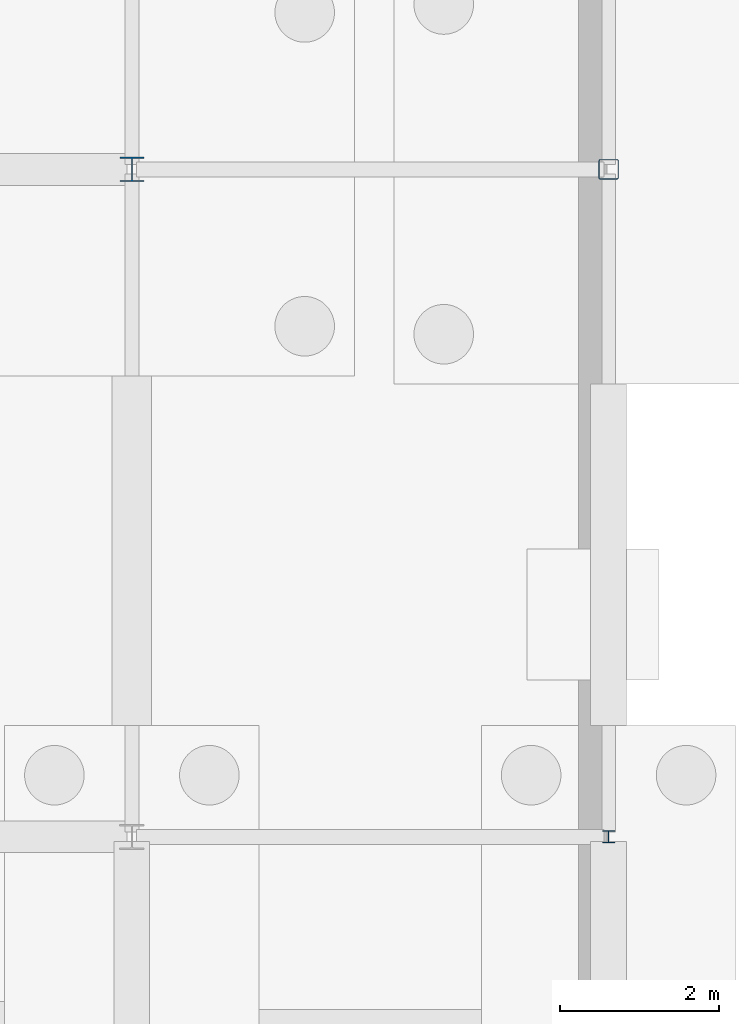
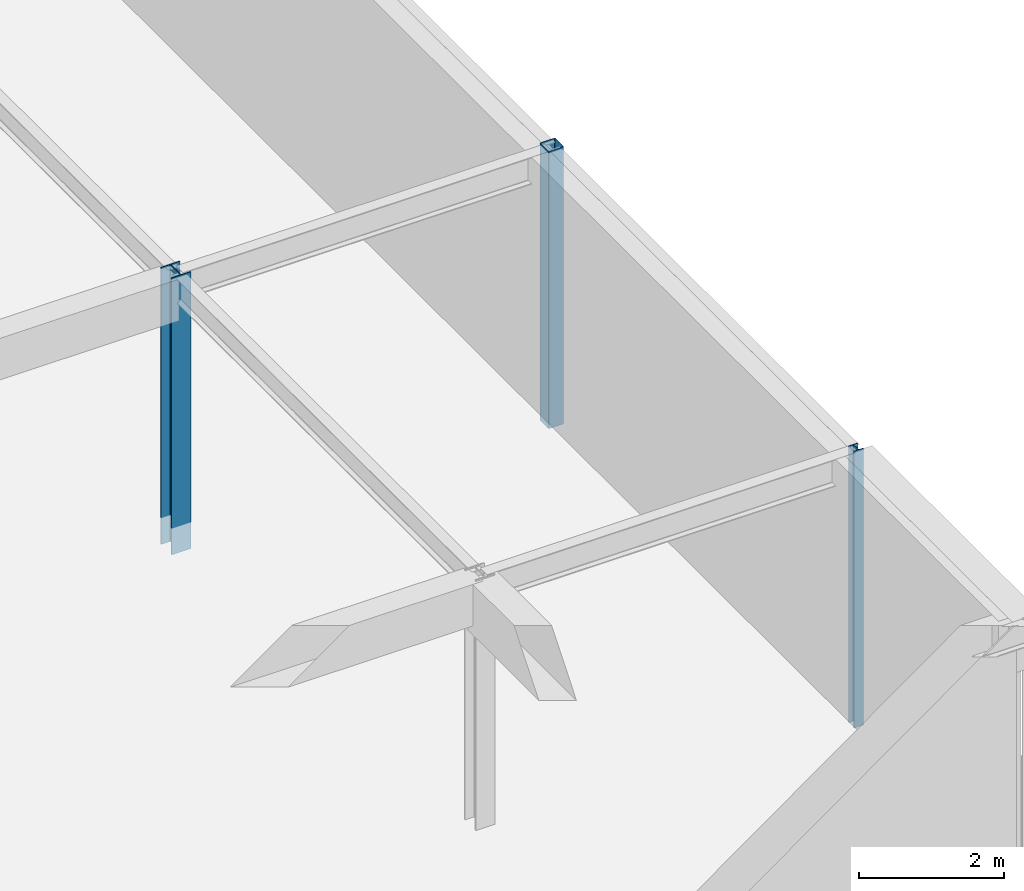
# One storey, part 55 of 75: 3 columns.
"""IFC4 building model written with IfcOpenShell, lengths in metres."""

from ifc_helpers import new_model, si_unit, derived_unit, direction, frame, origin, origin_2d_with_axis, place, context, subcontext, project, spatial, hollow_rectangle, i_section, extrude, material, material_profile, profile_set, type_object, element, save


model = new_model("IFC4")

# Units and contexts
model_context = context("Model", 3, precision=1e-05, world=origin(), true_north=direction((0.0, 1.0)))
body_context = subcontext(model_context, "Body", "Model", "MODEL_VIEW")
ifc_project = project(units=[si_unit("LENGTHUNIT", "METRE"), si_unit("AREAUNIT", "SQUARE_METRE"), si_unit("VOLUMEUNIT", "CUBIC_METRE"), si_unit("PLANEANGLEUNIT", "RADIAN"), si_unit("MASSUNIT", "GRAM", prefix="KILO"), derived_unit("THERMALTRANSMITTANCEUNIT", [(si_unit("POWERUNIT", "WATT"), 1), (si_unit("LENGTHUNIT", "METRE"), -2), (si_unit("THERMODYNAMICTEMPERATUREUNIT", "KELVIN"), -1)])], contexts=[model_context])

# Site, building, storey
site_placement = place(None, origin())
site = spatial("IfcSite", under=ifc_project, at=site_placement, CompositionType="ELEMENT")
building_placement = place(site_placement, origin())
building = spatial("IfcBuilding", under=site, at=building_placement, Name="Cinnabar Yard Market Hall", CompositionType="ELEMENT")
storey_placement = place(building_placement, frame((0.0, 0.0, -4.5)))
storey = spatial("IfcBuildingStorey", under=building, at=storey_placement, Name="B1", CompositionType="ELEMENT", Elevation=-4.5)

# Columns
ifc_material_1 = material(Name="Steel Grade 300 (300 MPa)", Category="steel")
ifc_material_profile_1 = material_profile(ifc_material_1, i_section(OverallWidth=0.304931640625, OverallDepth=0.30810546875, WebThickness=0.010009765625, FlangeThickness=0.015380859375, FilletRadius=0.0166015625, at=origin_2d_with_axis()), Name="310UC96.8")
ifc_profile_set_1 = profile_set([ifc_material_profile_1], Name="Steel Grade 300 (300 MPa)")
column_type_1 = type_object("IfcColumnType", Name="COL-C09", PredefinedType="COLUMN", material=ifc_profile_set_1)
column_1_placement = place(storey_placement, frame((156.0, 121.199951171875, -0.449951171875), z_axis=(0.0, 0.0, 1.0), x_axis=(1.0, 0.0, 0.0)))
element("IfcColumn", 1, at=column_1_placement, inside=storey, type_object=column_type_1, Name="Wing Column V3-10-03 B1", PredefinedType="COLUMN", context=body_context, shape_type="SweptSolid", body=[
    extrude(i_section(OverallWidth=0.304931640625, OverallDepth=0.30810546875, WebThickness=0.010009765625, FlangeThickness=0.015380859375, FilletRadius=0.0166015625, at=origin_2d_with_axis()), origin(), (0.0, 0.0, 1.0), 4.669921875),
])
ifc_material_profile_2 = material_profile(ifc_material_1, i_section(OverallWidth=0.152099609375, OverallDepth=0.15234375, WebThickness=0.005859375, FlangeThickness=0.0068359375, FilletRadius=0.0087890625, at=origin_2d_with_axis()), Name="150UC23.4")
ifc_profile_set_2 = profile_set([ifc_material_profile_2], Name="Steel Grade 300 (300 MPa)")
column_type_2 = type_object("IfcColumnType", Name="COL-C19", PredefinedType="COLUMN", material=ifc_profile_set_2)
column_2_placement = place(storey_placement, frame((162.0, 112.800048828125, -0.449951171875), z_axis=(0.0, 0.0, 1.0), x_axis=(1.0, 0.0, 0.0)))
element("IfcColumn", 2, at=column_2_placement, inside=storey, type_object=column_type_2, Name="Wing Column V3-11-02 B1", PredefinedType="COLUMN", context=body_context, shape_type="SweptSolid", body=[
    extrude(i_section(OverallWidth=0.152099609375, OverallDepth=0.15234375, WebThickness=0.005859375, FlangeThickness=0.0068359375, FilletRadius=0.0087890625, at=origin_2d_with_axis()), origin(), (0.0, 0.0, 1.0), 4.669921875),
])
ifc_material_2 = material(Name="Cold-formed steel C350L0", Category="steel")
ifc_material_profile_3 = material_profile(ifc_material_2, hollow_rectangle(XDim=0.25, YDim=0.25, WallThickness=0.009033203125, InnerFilletRadius=0.009033203125, OuterFilletRadius=0.01806640625, at=origin_2d_with_axis()), Name="250x250x9.0SHS")
ifc_profile_set_3 = profile_set([ifc_material_profile_3], Name="Cold-formed steel C350L0")
column_type_3 = type_object("IfcColumnType", Name="COL-C20", PredefinedType="COLUMN", material=ifc_profile_set_3)
column_3_placement = place(storey_placement, frame((162.0, 121.199951171875, -0.449951171875), z_axis=(0.0, 0.0, 1.0), x_axis=(1.0, 0.0, 0.0)))
element("IfcColumn", 3, at=column_3_placement, inside=storey, type_object=column_type_3, Name="Wing Column V3-11-03 B1", PredefinedType="COLUMN", context=body_context, shape_type="SweptSolid", body=[
    extrude(hollow_rectangle(XDim=0.25, YDim=0.25, WallThickness=0.009033203125, InnerFilletRadius=0.009033203125, OuterFilletRadius=0.01806640625, at=origin_2d_with_axis()), origin(), (0.0, 0.0, 1.0), 4.669921875),
])

save(model, "model.ifc")
